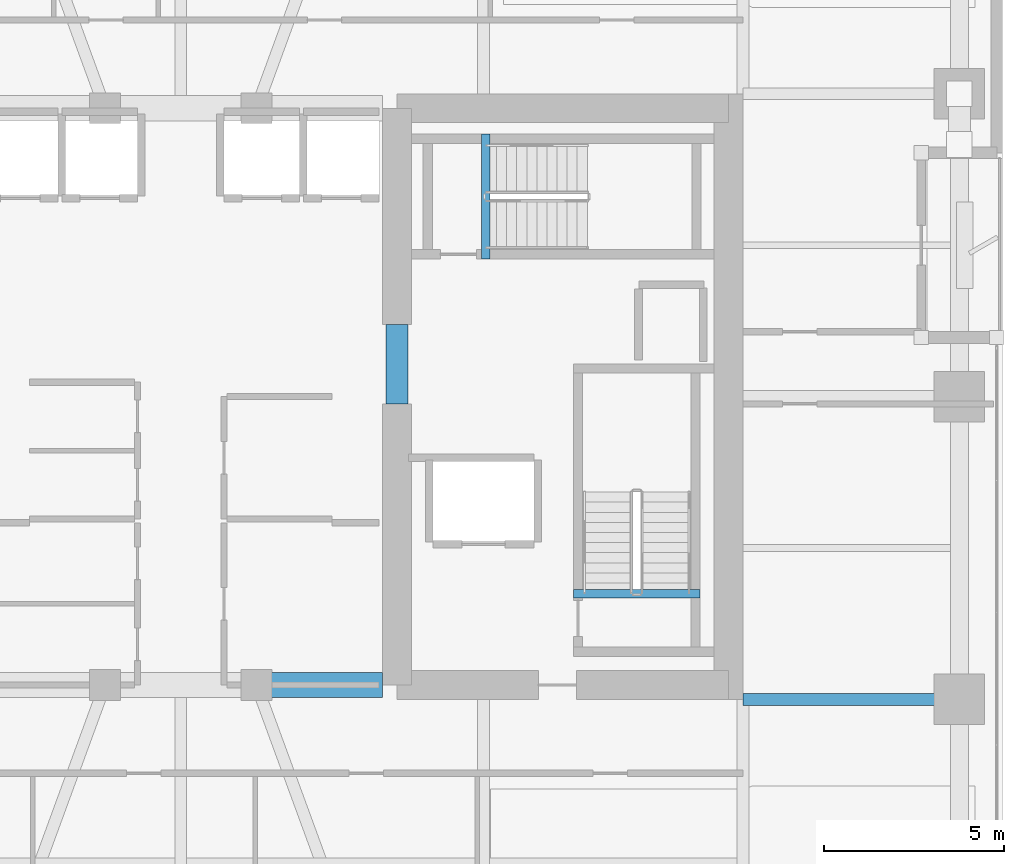
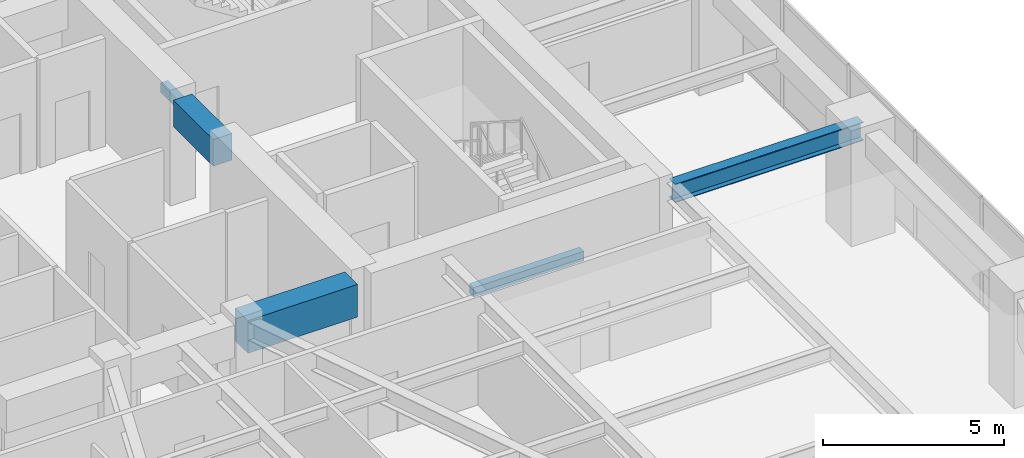
# One storey, part 5 of 24: 5 beams.
"""IFC4 building model written with IfcOpenShell, lengths in metres."""

import ifcopenshell
import ifcopenshell.guid

model = None  # the IFC model being written
_history = None  # IfcOwnerHistory: only IFC2X3 demands one
_inside = {}  # id of a spatial element -> (the spatial element, [elements in it])
_under = {}  # id of a project, library or spatial element -> (it, [spatial elements below it])
_declared = {}  # id of a project -> (the project, [libraries it declares])
_typed = {}  # id of a type object -> (the type object, [elements of that type])
_made_of = {}  # id of a material, layer set ... -> (it, [elements and type objects made of it])


def new_model(schema):
    """Start an empty IFC model of exactly this schema.

    Asked for "IFC4X3", IfcOpenShell would pick the latest addendum, in which some entities
    have other attributes; the version numbers below select the first issue.
    IFC2X3 requires an IfcOwnerHistory on every rooted entity: one is made here for all.
    """
    global model, _history
    if schema == "IFC4X3":
        model = ifcopenshell.file(schema_version=(4, 3, 0, 0))
    else:
        model = ifcopenshell.file(schema=schema)
    _inside.clear()
    _under.clear()
    _declared.clear()
    _typed.clear()
    _made_of.clear()
    _history = None
    if model.schema == "IFC2X3":
        org = make("IfcOrganization", Name="unknown")
        user = make(
            "IfcPersonAndOrganization",
            ThePerson=make("IfcPerson", FamilyName="unknown"),
            TheOrganization=org,
        )
        app = make(
            "IfcApplication",
            ApplicationDeveloper=org,
            Version="unknown",
            ApplicationFullName="unknown",
            ApplicationIdentifier="unknown",
        )
        _history = make(
            "IfcOwnerHistory",
            OwningUser=user,
            OwningApplication=app,
            ChangeAction="ADDED",
            CreationDate=0,
        )
    return model


def make(cls, **values):
    """One entity of the class cls with the attributes given. An attribute that is None is left unset."""
    return model.create_entity(
        cls, **{name: value for name, value in values.items() if value is not None}
    )


def rooted(cls, **values):
    """An entity with a GlobalId (a new one), such as an element, a storey or a relation."""
    return make(cls, GlobalId=ifcopenshell.guid.new(), OwnerHistory=_history, **values)


def si_unit(unit_type, name, prefix=None):
    """IfcSIUnit, for example si_unit("LENGTHUNIT", "METRE", prefix="MILLI")."""
    return make("IfcSIUnit", UnitType=unit_type, Prefix=prefix, Name=name)


def assignment(units):
    """IfcUnitAssignment: the units of a project."""
    return None if units is None else make("IfcUnitAssignment", Units=units)


def point(xyz):
    """IfcCartesianPoint."""
    return None if xyz is None else make("IfcCartesianPoint", Coordinates=xyz)


def direction(xyz):
    """IfcDirection."""
    return None if xyz is None else make("IfcDirection", DirectionRatios=xyz)


def frame(location, z_axis=None, x_axis=None):
    """IfcAxis2Placement3D, a coordinate frame: its origin and axes. An axis left out is left unset."""
    return make(
        "IfcAxis2Placement3D",
        Location=point(location),
        Axis=direction(z_axis),
        RefDirection=direction(x_axis),
    )


def frame_2d(location, x_axis=None):
    """IfcAxis2Placement2D, a coordinate frame in the plane: its origin and x axis."""
    return make(
        "IfcAxis2Placement2D", Location=point(location), RefDirection=direction(x_axis)
    )


def origin():
    """The frame at (0, 0, 0) with its axes left unset."""
    return frame((0.0, 0.0, 0.0))


def origin_2d():
    """The frame at (0, 0) in the plane with its x axis left unset."""
    return frame_2d((0.0, 0.0))


def place(relative_to, where):
    """IfcLocalPlacement: puts the frame where relative to a parent placement (None: the world)."""
    return make(
        "IfcLocalPlacement", PlacementRelTo=relative_to, RelativePlacement=where
    )


def context(
    kind, dimensions, precision=None, world=None, true_north=None, identifier=None
):
    """IfcGeometricRepresentationContext, for example the 3D "Model" context."""
    return make(
        "IfcGeometricRepresentationContext",
        ContextIdentifier=identifier,
        ContextType=kind,
        CoordinateSpaceDimension=dimensions,
        Precision=precision,
        WorldCoordinateSystem=world,
        TrueNorth=true_north,
    )


def subcontext(parent, identifier, kind, view, scale=None):
    """IfcGeometricRepresentationSubContext, for example "Body" below "Model"."""
    return make(
        "IfcGeometricRepresentationSubContext",
        ContextIdentifier=identifier,
        ContextType=kind,
        ParentContext=parent,
        TargetScale=scale,
        TargetView=view,
    )


def project(units=None, contexts=None):
    """IfcProject with its units and contexts."""
    return rooted(
        "IfcProject",
        Name="project",
        RepresentationContexts=contexts,
        UnitsInContext=assignment(units),
    )


def spatial(cls, under=None, at=None, **own):
    """A site, building, storey or space (cls), placed at a placement, below another one or the project."""
    s = rooted(cls, ObjectPlacement=at, **own)
    if under is not None:
        _under.setdefault(under.id(), (under, []))[1].append(s)
    return s


def profile(cls, at=None, kind="AREA", **sizes):
    """A parametric profile (cls). Its sizes go by their IFC names, for example OverallWidth=200.0."""
    return make(cls, ProfileType=kind, Position=at, **sizes)


def rectangle(**sizes):
    """IfcRectangleProfileDef."""
    return profile("IfcRectangleProfileDef", **sizes)


def i_section(**sizes):
    """IfcIShapeProfileDef."""
    return profile("IfcIShapeProfileDef", **sizes)


def extrude(swept, where, along, depth):
    """IfcExtrudedAreaSolid: the profile swept, set in the frame where, extruded along a direction by depth."""
    return make(
        "IfcExtrudedAreaSolid",
        SweptArea=swept,
        Position=where,
        ExtrudedDirection=direction(along),
        Depth=depth,
    )


def shape(context_of_items, identifier, shape_type, items):
    """IfcShapeRepresentation: the items that make up one representation, for example the "Body"."""
    return make(
        "IfcShapeRepresentation",
        ContextOfItems=context_of_items,
        RepresentationIdentifier=identifier,
        RepresentationType=shape_type,
        Items=items,
    )


def material(Name=None, Category=None):
    """IfcMaterial."""
    return make("IfcMaterial", Name=Name, Category=Category)


def material_profile(
    of_material, cross_section, Name=None, Category=None, Priority=None
):
    """IfcMaterialProfile: a cross section and its material."""
    return make(
        "IfcMaterialProfile",
        Name=Name,
        Material=of_material,
        Profile=cross_section,
        Priority=Priority,
        Category=Category,
    )


def profile_set(profiles, Name=None, composite=None):
    """IfcMaterialProfileSet."""
    return make(
        "IfcMaterialProfileSet",
        Name=Name,
        MaterialProfiles=profiles,
        CompositeProfile=composite,
    )


def made_of(thing, what):
    """Note that an element or type object is made of a material, layer set ...; save() writes the relation."""
    if what is not None:
        _made_of.setdefault(what.id(), (what, []))[1].append(thing)
    return thing


def type_object(cls, material=None, **own):
    """A type object (cls), such as IfcWallType, which elements share."""
    return made_of(rooted(cls, **own), material)


def element(
    cls,
    number,
    at=None,
    inside=None,
    cuts=None,
    type_object=None,
    material=None,
    context=None,
    identifier="Body",
    shape_type=None,
    held_by="IfcProductDefinitionShape",
    body=None,
    shapes=None,
    **own,
):
    """One element of the class cls, such as IfcWall. Its Tag is "e" and its number.

    at: its placement. inside: the storey or other place that contains it. cuts: it is an
    opening in that element (IfcRelVoidsElement). A single representation is given by context,
    identifier, shape_type and body (its items); several are given by shapes. held_by: the class
    of the entity that holds the representations. save() writes the other relations.
    """
    e = rooted(cls, Tag="e%d" % number, ObjectPlacement=at, **own)
    if body is not None:
        shapes = [shape(context, identifier, shape_type, body)]
    if shapes is not None:
        e.Representation = make(held_by, Representations=shapes)
    if inside is not None:
        _inside.setdefault(inside.id(), (inside, []))[1].append(e)
    if cuts is not None:
        rooted(
            "IfcRelVoidsElement", RelatingBuildingElement=cuts, RelatedOpeningElement=e
        )
    if type_object is not None:
        _typed.setdefault(type_object.id(), (type_object, []))[1].append(e)
    return made_of(e, material)


def aggregate(whole, parts):
    """IfcRelAggregates: a whole, such as a stair, and the parts it consists of."""
    return rooted("IfcRelAggregates", RelatingObject=whole, RelatedObjects=parts)


def save(model, path):
    """Write the relations noted so far, then the file.

    IfcRelAggregates (storeys below a building ...), IfcRelContainedInSpatialStructure (elements
    in a storey), IfcRelDefinesByType, IfcRelAssociatesMaterial and IfcRelDeclares: one each for
    every whole, place, type object, material and project.
    """
    for whole, parts in _under.values():
        aggregate(whole, parts)
    for where, things in _inside.values():
        rooted(
            "IfcRelContainedInSpatialStructure",
            RelatedElements=things,
            RelatingStructure=where,
        )
    for kind, things in _typed.values():
        rooted("IfcRelDefinesByType", RelatedObjects=things, RelatingType=kind)
    for what, things in _made_of.values():
        rooted("IfcRelAssociatesMaterial", RelatedObjects=things, RelatingMaterial=what)
    for by, libraries in _declared.values():
        rooted("IfcRelDeclares", RelatingContext=by, RelatedDefinitions=libraries)
    model.write(path)


model = new_model("IFC4")

# Units and contexts
model_context = context("Model", 3, precision=1e-05, world=origin(), true_north=direction((0.0, 1.0)))
body_context = subcontext(model_context, "Body", "Model", "MODEL_VIEW")
ifc_project = project(units=[si_unit("LENGTHUNIT", "METRE"), si_unit("AREAUNIT", "SQUARE_METRE"), si_unit("VOLUMEUNIT", "CUBIC_METRE"), si_unit("PLANEANGLEUNIT", "RADIAN"), si_unit("MASSUNIT", "GRAM", prefix="KILO")], contexts=[model_context])

# Site, building, storey
site_placement = place(None, origin())
site = spatial("IfcSite", under=ifc_project, at=site_placement, CompositionType="ELEMENT")
building_placement = place(site_placement, origin())
building = spatial("IfcBuilding", under=site, at=building_placement, Name="Kiyonajd Concourse Tower", CompositionType="ELEMENT")
storey_placement = place(building_placement, frame((0.0, 0.0, 137.699951171875)))
storey = spatial("IfcBuildingStorey", under=building, at=storey_placement, Name="L35", CompositionType="ELEMENT", Elevation=137.699951171875)

# Beams
ifc_material_1 = material(Name="Concrete C70/85", Category="concrete")
ifc_material_profile_1 = material_profile(ifc_material_1, rectangle(XDim=0.699951171875, YDim=1.10009765625, at=origin_2d()), Name="RCBM-700x1100")
ifc_profile_set_1 = profile_set([ifc_material_profile_1], Name="Concrete C70/85")
beam_type_1 = type_object("IfcBeamType", Name="BM-COUP-1100", PredefinedType="LINTEL", material=ifc_profile_set_1)
beam_1_placement = place(storey_placement, frame((50.10009765625, 28.0, 3.090087890625), z_axis=(1.0, 0.0, 0.0), x_axis=(0.0, 1.0, 0.0)))
element("IfcBeam", 1, at=beam_1_placement, inside=storey, type_object=beam_type_1, Name="L35 Core Coupling Beam S3", PredefinedType="LINTEL", context=body_context, shape_type="SweptSolid", body=[
    extrude(rectangle(XDim=0.699951171875, YDim=1.10009765625, at=origin_2d()), origin(), (0.0, 0.0, 1.0), 3.5),
])
ifc_material_2 = material(Name="Concrete C60/75", Category="concrete")
ifc_material_profile_2 = material_profile(ifc_material_2, rectangle(XDim=0.60009765625, YDim=0.89990234375, at=origin_2d()), Name="RCBM-600x900")
ifc_profile_set_2 = profile_set([ifc_material_profile_2], Name="Concrete C60/75")
beam_type_2 = type_object("IfcBeamType", Name="BM-COUP-900", PredefinedType="LINTEL", material=ifc_profile_set_2)
beam_2_placement = place(storey_placement, frame((54.0, 35.800048828125, 3.090087890625), z_axis=(0.0, 1.0, 0.0), x_axis=(-1.0, 0.0, 0.0)))
element("IfcBeam", 2, at=beam_2_placement, inside=storey, type_object=beam_type_2, Name="L35 East Core Throat Coupling Lintel", PredefinedType="LINTEL", context=body_context, shape_type="SweptSolid", body=[
    extrude(rectangle(XDim=0.60009765625, YDim=0.89990234375, at=origin_2d()), origin(), (0.0, 0.0, 1.0), 2.199951171875),
])
ifc_material_3 = material(Name="Concrete C50/60", Category="concrete")
ifc_material_profile_3 = material_profile(ifc_material_3, rectangle(XDim=0.239990234375, YDim=0.320068359375, at=origin_2d()), Name="RCBM-240x320")
ifc_profile_set_3 = profile_set([ifc_material_profile_3], Name="Concrete C50/60")
beam_type_3 = type_object("IfcBeamType", Name="BM-LNT-250", PredefinedType="LINTEL", material=ifc_profile_set_3)
beam_3_placement = place(storey_placement, frame((58.889892578125, 30.530029296875, -0.159912109375), z_axis=(1.0, 0.0, 0.0), x_axis=(0.0, 1.0, 0.0)))
element("IfcBeam", 3, at=beam_3_placement, inside=storey, type_object=beam_type_3, Name="L35 Stair ST2 Threshold Support Beam", PredefinedType="LINTEL", context=body_context, shape_type="SweptSolid", body=[
    extrude(rectangle(XDim=0.239990234375, YDim=0.320068359375, at=origin_2d()), origin(), (0.0, 0.0, 1.0), 3.52001953125),
])
beam_4_placement = place(storey_placement, frame((56.4599609375, 39.820068359375, -0.159912109375), z_axis=(0.0, 1.0, 0.0), x_axis=(-1.0, 0.0, 0.0)))
element("IfcBeam", 4, at=beam_4_placement, inside=storey, type_object=beam_type_3, Name="L35 Stair ST3 Threshold Support Beam", PredefinedType="LINTEL", context=body_context, shape_type="SweptSolid", body=[
    extrude(rectangle(XDim=0.239990234375, YDim=0.320068359375, at=origin_2d()), origin(), (0.0, 0.0, 1.0), 3.4599609375),
])
ifc_material_4 = material(Name="Steel ASTM A992 Grade 50", Category="steel")
ifc_material_profile_4 = material_profile(ifc_material_4, i_section(OverallWidth=0.326904296875, OverallDepth=0.6220703125, WebThickness=0.015380859375, FlangeThickness=0.0244140625, at=origin_2d()), Name="W610X195")
ifc_profile_set_4 = profile_set([ifc_material_profile_4], Name="Steel ASTM A992 Grade 50")
beam_type_4 = type_object("IfcBeamType", Name="BM-TWR-610A", PredefinedType="BEAM", material=ifc_profile_set_4)
beam_5_placement = place(storey_placement, frame((63.60009765625, 27.60009765625, 3.3291015625), z_axis=(1.0, 0.0, 0.0), x_axis=(0.0, 1.0, 0.0)))
element("IfcBeam", 5, at=beam_5_placement, inside=storey, type_object=beam_type_4, Name="L35 East Lease Girder", PredefinedType="BEAM", context=body_context, shape_type="SweptSolid", body=[
    extrude(i_section(OverallWidth=0.326904296875, OverallDepth=0.6220703125, WebThickness=0.015380859375, FlangeThickness=0.0244140625, at=origin_2d()), origin(), (0.0, 0.0, 1.0), 6.0),
])

save(model, "model.ifc")
